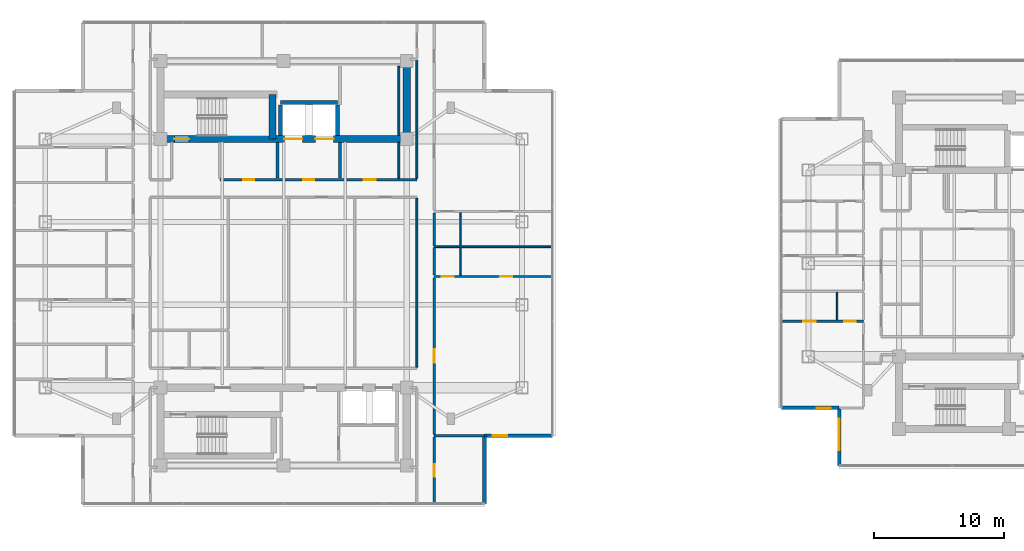
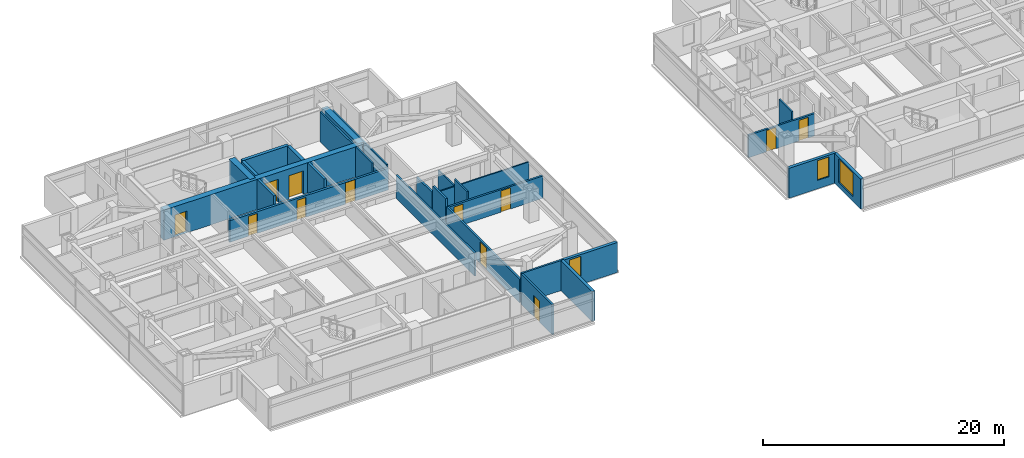
# One storey, part 14 of 24: 28 walls, 12 doors, 3 windows, 15 openings.
"""IFC4 building model written with IfcOpenShell, lengths in metres."""

import ifcopenshell
import ifcopenshell.guid

model = None  # the IFC model being written
_history = None  # IfcOwnerHistory: only IFC2X3 demands one
_inside = {}  # id of a spatial element -> (the spatial element, [elements in it])
_under = {}  # id of a project, library or spatial element -> (it, [spatial elements below it])
_declared = {}  # id of a project -> (the project, [libraries it declares])
_typed = {}  # id of a type object -> (the type object, [elements of that type])
_made_of = {}  # id of a material, layer set ... -> (it, [elements and type objects made of it])


def new_model(schema):
    """Start an empty IFC model of exactly this schema.

    Asked for "IFC4X3", IfcOpenShell would pick the latest addendum, in which some entities
    have other attributes; the version numbers below select the first issue.
    IFC2X3 requires an IfcOwnerHistory on every rooted entity: one is made here for all.
    """
    global model, _history
    if schema == "IFC4X3":
        model = ifcopenshell.file(schema_version=(4, 3, 0, 0))
    else:
        model = ifcopenshell.file(schema=schema)
    _inside.clear()
    _under.clear()
    _declared.clear()
    _typed.clear()
    _made_of.clear()
    _history = None
    if model.schema == "IFC2X3":
        org = make("IfcOrganization", Name="unknown")
        user = make(
            "IfcPersonAndOrganization",
            ThePerson=make("IfcPerson", FamilyName="unknown"),
            TheOrganization=org,
        )
        app = make(
            "IfcApplication",
            ApplicationDeveloper=org,
            Version="unknown",
            ApplicationFullName="unknown",
            ApplicationIdentifier="unknown",
        )
        _history = make(
            "IfcOwnerHistory",
            OwningUser=user,
            OwningApplication=app,
            ChangeAction="ADDED",
            CreationDate=0,
        )
    return model


def make(cls, **values):
    """One entity of the class cls with the attributes given. An attribute that is None is left unset."""
    return model.create_entity(
        cls, **{name: value for name, value in values.items() if value is not None}
    )


def rooted(cls, **values):
    """An entity with a GlobalId (a new one), such as an element, a storey or a relation."""
    return make(cls, GlobalId=ifcopenshell.guid.new(), OwnerHistory=_history, **values)


def si_unit(unit_type, name, prefix=None):
    """IfcSIUnit, for example si_unit("LENGTHUNIT", "METRE", prefix="MILLI")."""
    return make("IfcSIUnit", UnitType=unit_type, Prefix=prefix, Name=name)


def assignment(units):
    """IfcUnitAssignment: the units of a project."""
    return None if units is None else make("IfcUnitAssignment", Units=units)


def point(xyz):
    """IfcCartesianPoint."""
    return None if xyz is None else make("IfcCartesianPoint", Coordinates=xyz)


def direction(xyz):
    """IfcDirection."""
    return None if xyz is None else make("IfcDirection", DirectionRatios=xyz)


def frame(location, z_axis=None, x_axis=None):
    """IfcAxis2Placement3D, a coordinate frame: its origin and axes. An axis left out is left unset."""
    return make(
        "IfcAxis2Placement3D",
        Location=point(location),
        Axis=direction(z_axis),
        RefDirection=direction(x_axis),
    )


def frame_2d(location, x_axis=None):
    """IfcAxis2Placement2D, a coordinate frame in the plane: its origin and x axis."""
    return make(
        "IfcAxis2Placement2D", Location=point(location), RefDirection=direction(x_axis)
    )


def origin():
    """The frame at (0, 0, 0) with its axes left unset."""
    return frame((0.0, 0.0, 0.0))


def place(relative_to, where):
    """IfcLocalPlacement: puts the frame where relative to a parent placement (None: the world)."""
    return make(
        "IfcLocalPlacement", PlacementRelTo=relative_to, RelativePlacement=where
    )


def context(
    kind, dimensions, precision=None, world=None, true_north=None, identifier=None
):
    """IfcGeometricRepresentationContext, for example the 3D "Model" context."""
    return make(
        "IfcGeometricRepresentationContext",
        ContextIdentifier=identifier,
        ContextType=kind,
        CoordinateSpaceDimension=dimensions,
        Precision=precision,
        WorldCoordinateSystem=world,
        TrueNorth=true_north,
    )


def subcontext(parent, identifier, kind, view, scale=None):
    """IfcGeometricRepresentationSubContext, for example "Body" below "Model"."""
    return make(
        "IfcGeometricRepresentationSubContext",
        ContextIdentifier=identifier,
        ContextType=kind,
        ParentContext=parent,
        TargetScale=scale,
        TargetView=view,
    )


def project(units=None, contexts=None):
    """IfcProject with its units and contexts."""
    return rooted(
        "IfcProject",
        Name="project",
        RepresentationContexts=contexts,
        UnitsInContext=assignment(units),
    )


def spatial(cls, under=None, at=None, **own):
    """A site, building, storey or space (cls), placed at a placement, below another one or the project."""
    s = rooted(cls, ObjectPlacement=at, **own)
    if under is not None:
        _under.setdefault(under.id(), (under, []))[1].append(s)
    return s


def profile(cls, at=None, kind="AREA", **sizes):
    """A parametric profile (cls). Its sizes go by their IFC names, for example OverallWidth=200.0."""
    return make(cls, ProfileType=kind, Position=at, **sizes)


def rectangle(**sizes):
    """IfcRectangleProfileDef."""
    return profile("IfcRectangleProfileDef", **sizes)


def extrude(swept, where, along, depth):
    """IfcExtrudedAreaSolid: the profile swept, set in the frame where, extruded along a direction by depth."""
    return make(
        "IfcExtrudedAreaSolid",
        SweptArea=swept,
        Position=where,
        ExtrudedDirection=direction(along),
        Depth=depth,
    )


def shape(context_of_items, identifier, shape_type, items):
    """IfcShapeRepresentation: the items that make up one representation, for example the "Body"."""
    return make(
        "IfcShapeRepresentation",
        ContextOfItems=context_of_items,
        RepresentationIdentifier=identifier,
        RepresentationType=shape_type,
        Items=items,
    )


def material(Name=None, Category=None):
    """IfcMaterial."""
    return make("IfcMaterial", Name=Name, Category=Category)


def layer(
    of_material, thickness, ventilated=None, Name=None, Category=None, Priority=None
):
    """IfcMaterialLayer: one layer of a wall or slab, of a material (None: an air gap)."""
    return make(
        "IfcMaterialLayer",
        Material=of_material,
        LayerThickness=thickness,
        IsVentilated=ventilated,
        Name=Name,
        Category=Category,
        Priority=Priority,
    )


def layer_set(layers, Name=None):
    """IfcMaterialLayerSet."""
    return make("IfcMaterialLayerSet", MaterialLayers=layers, LayerSetName=Name)


def made_of(thing, what):
    """Note that an element or type object is made of a material, layer set ...; save() writes the relation."""
    if what is not None:
        _made_of.setdefault(what.id(), (what, []))[1].append(thing)
    return thing


def type_object(cls, material=None, **own):
    """A type object (cls), such as IfcWallType, which elements share."""
    return made_of(rooted(cls, **own), material)


def element(
    cls,
    number,
    at=None,
    inside=None,
    cuts=None,
    type_object=None,
    material=None,
    context=None,
    identifier="Body",
    shape_type=None,
    held_by="IfcProductDefinitionShape",
    body=None,
    shapes=None,
    **own,
):
    """One element of the class cls, such as IfcWall. Its Tag is "e" and its number.

    at: its placement. inside: the storey or other place that contains it. cuts: it is an
    opening in that element (IfcRelVoidsElement). A single representation is given by context,
    identifier, shape_type and body (its items); several are given by shapes. held_by: the class
    of the entity that holds the representations. save() writes the other relations.
    """
    e = rooted(cls, Tag="e%d" % number, ObjectPlacement=at, **own)
    if body is not None:
        shapes = [shape(context, identifier, shape_type, body)]
    if shapes is not None:
        e.Representation = make(held_by, Representations=shapes)
    if inside is not None:
        _inside.setdefault(inside.id(), (inside, []))[1].append(e)
    if cuts is not None:
        rooted(
            "IfcRelVoidsElement", RelatingBuildingElement=cuts, RelatedOpeningElement=e
        )
    if type_object is not None:
        _typed.setdefault(type_object.id(), (type_object, []))[1].append(e)
    return made_of(e, material)


def fill(opening, filler):
    """IfcRelFillsElement: the door or window that sits in an opening."""
    return rooted(
        "IfcRelFillsElement",
        RelatingOpeningElement=opening,
        RelatedBuildingElement=filler,
    )


def aggregate(whole, parts):
    """IfcRelAggregates: a whole, such as a stair, and the parts it consists of."""
    return rooted("IfcRelAggregates", RelatingObject=whole, RelatedObjects=parts)


def save(model, path):
    """Write the relations noted so far, then the file.

    IfcRelAggregates (storeys below a building ...), IfcRelContainedInSpatialStructure (elements
    in a storey), IfcRelDefinesByType, IfcRelAssociatesMaterial and IfcRelDeclares: one each for
    every whole, place, type object, material and project.
    """
    for whole, parts in _under.values():
        aggregate(whole, parts)
    for where, things in _inside.values():
        rooted(
            "IfcRelContainedInSpatialStructure",
            RelatedElements=things,
            RelatingStructure=where,
        )
    for kind, things in _typed.values():
        rooted("IfcRelDefinesByType", RelatedObjects=things, RelatingType=kind)
    for what, things in _made_of.values():
        rooted("IfcRelAssociatesMaterial", RelatedObjects=things, RelatingMaterial=what)
    for by, libraries in _declared.values():
        rooted("IfcRelDeclares", RelatingContext=by, RelatedDefinitions=libraries)
    model.write(path)


model = new_model("IFC4")

# Units and contexts
model_context = context("Model", 3, precision=1e-05, world=origin(), true_north=direction((0.0, 1.0)))
body_context = subcontext(model_context, "Body", "Model", "MODEL_VIEW")
ifc_project = project(units=[si_unit("LENGTHUNIT", "METRE"), si_unit("AREAUNIT", "SQUARE_METRE"), si_unit("VOLUMEUNIT", "CUBIC_METRE"), si_unit("PLANEANGLEUNIT", "RADIAN"), si_unit("MASSUNIT", "GRAM", prefix="KILO")], contexts=[model_context])

# Site, building, storey
site_placement = place(None, origin())
site = spatial("IfcSite", under=ifc_project, at=site_placement, CompositionType="ELEMENT")
building_placement = place(site_placement, origin())
building = spatial("IfcBuilding", under=site, at=building_placement, Name="Mirazonda Arch Towers", CompositionType="ELEMENT")
storey_placement = place(building_placement, frame((0.0, 0.0, 167.39990234375)))
storey = spatial("IfcBuildingStorey", under=building, at=storey_placement, Name="L47", CompositionType="ELEMENT", Elevation=167.39990234375)

# Wall
ifc_material_1 = material(Name="Concrete C50/60", Category="concrete")
ifc_layer_1 = layer(ifc_material_1, 0.550048828125, Name="WALL-CORE-550")
ifc_layer_set_1 = layer_set([ifc_layer_1], Name="Concrete C50/60")
wall_type_1 = type_object("IfcWallType", Name="WALL-CORE-550", PredefinedType="SHEAR", material=ifc_layer_set_1)
wall_1_placement = place(storey_placement, frame((30.0, 37.60009765625, 0.0), z_axis=(0.0, 0.0, 1.0), x_axis=(0.0, 1.0, 0.0)))
element("IfcWall", 1, at=wall_1_placement, inside=storey, type_object=wall_type_1, Name="L47 T1N-E Core Shear Wall", PredefinedType="SHEAR", context=body_context, shape_type="SweptSolid", body=[
    extrude(rectangle(XDim=6.0, YDim=0.550048828125, at=frame_2d((3.0, 0.0))), origin(), (0.0, 0.0, 1.0), 3.050048828125),
])

# Wall, openings, doors
wall_2_placement = place(storey_placement, frame((11.0, 37.60009765625, 0.0), z_axis=(0.0, 0.0, 1.0), x_axis=(1.0, 0.0, 0.0)))
wall_2 = element("IfcWall", 2, at=wall_2_placement, inside=storey, type_object=wall_type_1, Name="L47 T1N-S Core Shear Wall", PredefinedType="SHEAR", context=body_context, shape_type="SweptSolid", body=[
    extrude(rectangle(XDim=19.0, YDim=0.550048828125, at=frame_2d((9.5, 0.0))), origin(), (0.0, 0.0, 1.0), 3.050048828125),
])
opening_1_placement = place(wall_2_placement, frame((1.06005859375, 0.0, 0.0)))
opening_1 = element("IfcOpeningElement", 3, at=opening_1_placement, cuts=wall_2, Name="Opening DR-135", PredefinedType="OPENING", context=body_context, shape_type="SweptSolid", body=[
    extrude(rectangle(XDim=1.14990234375, YDim=2.199951171875, at=frame_2d((0.574951171875, 1.10009765625))), frame((0.0, 0.284912109375, 0.0), z_axis=(0.0, -1.0, 0.0), x_axis=(1.0, 0.0, 0.0)), (0.0, 0.0, 1.0), 0.570068359375),
])
opening_2_placement = place(wall_2_placement, frame((9.550048828125, 0.0, 0.0)))
opening_2 = element("IfcOpeningElement", 4, at=opening_2_placement, cuts=wall_2, Name="Opening LD-112", PredefinedType="OPENING", context=body_context, shape_type="SweptSolid", body=[
    extrude(rectangle(XDim=1.39990234375, YDim=2.35009765625, at=frame_2d((0.699951171875, 1.175048828125))), frame((0.0, 0.284912109375, 0.0), z_axis=(0.0, -1.0, 0.0), x_axis=(1.0, 0.0, 0.0)), (0.0, 0.0, 1.0), 0.570068359375),
])
opening_3_placement = place(wall_2_placement, frame((11.949951171875, 0.0, 0.0)))
opening_3 = element("IfcOpeningElement", 5, at=opening_3_placement, cuts=wall_2, Name="Opening LD-112", PredefinedType="OPENING", context=body_context, shape_type="SweptSolid", body=[
    extrude(rectangle(XDim=1.39990234375, YDim=2.35009765625, at=frame_2d((0.699951171875, 1.175048828125))), frame((0.0, 0.284912109375, 0.0), z_axis=(0.0, -1.0, 0.0), x_axis=(1.0, 0.0, 0.0)), (0.0, 0.0, 1.0), 0.570068359375),
])
ifc_material_2 = material(Name="Architectural Brushed Steel S355", Category="steel")
door_type_1 = type_object("IfcDoorType", Name="DOOR-LIFT-FFL-1400", OperationType="NOTDEFINED", PredefinedType="DOOR", material=ifc_material_2)
door_1_placement = place(opening_2_placement, origin())
door_1 = element("IfcDoor", 6, at=door_1_placement, inside=storey, type_object=door_type_1, Name="L47 Lift Landing Sliding Door FFL-T1", OperationType="DOUBLE_DOOR_SLIDING", OverallHeight=2.35009765625, OverallWidth=1.39990234375, PredefinedType="DOOR", context=body_context, shape_type="SweptSolid", body=[
    extrude(rectangle(XDim=1.39990234375, YDim=2.35009765625, at=frame_2d((0.699951171875, 1.175048828125))), frame((0.0, 0.02490234375, 0.0), z_axis=(0.0, -1.0, 0.0), x_axis=(1.0, 0.0, 0.0)), (0.0, 0.0, 1.0), 0.050048828125),
])
fill(opening_2, door_1)
door_2_placement = place(opening_3_placement, origin())
door_2 = element("IfcDoor", 7, at=door_2_placement, inside=storey, type_object=door_type_1, Name="L47 Lift Landing Sliding Door SVL-T1", OperationType="DOUBLE_DOOR_SLIDING", OverallHeight=2.35009765625, OverallWidth=1.39990234375, PredefinedType="DOOR", context=body_context, shape_type="SweptSolid", body=[
    extrude(rectangle(XDim=1.39990234375, YDim=2.35009765625, at=frame_2d((0.699951171875, 1.175048828125))), frame((0.0, 0.02490234375, 0.0), z_axis=(0.0, -1.0, 0.0), x_axis=(1.0, 0.0, 0.0)), (0.0, 0.0, 1.0), 0.050048828125),
])
fill(opening_3, door_2)
door_type_2 = type_object("IfcDoorType", Name="DOOR-STAIR-FD90-1150", OperationType="NOTDEFINED", PredefinedType="DOOR", material=ifc_material_2)
door_3_placement = place(opening_1_placement, origin())
door_3 = element("IfcDoor", 8, at=door_3_placement, inside=storey, type_object=door_type_2, Name="L47 Protected Exit Stair North Door", OperationType="SINGLE_SWING_LEFT", OverallHeight=2.199951171875, OverallWidth=1.14990234375, PredefinedType="DOOR", context=body_context, shape_type="SweptSolid", body=[
    extrude(rectangle(XDim=1.14990234375, YDim=2.199951171875, at=frame_2d((0.574951171875, 1.10009765625))), frame((0.0, 0.02490234375, 0.0), z_axis=(0.0, -1.0, 0.0), x_axis=(1.0, 0.0, 0.0)), (0.0, 0.0, 1.0), 0.050048828125),
])
fill(opening_1, door_3)

# Wall
wall_3_placement = place(storey_placement, frame((19.64990234375, 37.60009765625, 0.0), z_axis=(0.0, 0.0, 1.0), x_axis=(0.0, 1.0, 0.0)))
element("IfcWall", 9, at=wall_3_placement, inside=storey, type_object=wall_type_1, Name="L47 T1N-STE Core Shear Wall", PredefinedType="SHEAR", context=body_context, shape_type="SweptSolid", body=[
    extrude(rectangle(XDim=3.44287109375, YDim=0.550048828125, at=frame_2d((1.721435546875, 0.0))), origin(), (0.0, 0.0, 1.0), 3.050048828125),
])

# Wall, opening, window
ifc_material_3 = material(Name="Precast Concrete C40/50", Category="concrete")
ifc_layer_2 = layer(ifc_material_3, 0.280029296875, Name="WALL-EXT-WALL-280")
ifc_layer_set_2 = layer_set([ifc_layer_2], Name="Precast Concrete C40/50")
wall_type_2 = type_object("IfcWallType", Name="WALL-EXT-WALL-280", PredefinedType="SOLIDWALL", material=ifc_layer_set_2)
wall_4_placement = place(storey_placement, frame((36.0048828125, 14.68310546875, 0.0), z_axis=(0.0, 0.0, 1.0), x_axis=(1.0, 0.0, 0.0)))
wall_4 = element("IfcWall", 10, at=wall_4_placement, inside=storey, type_object=wall_type_2, Name="L47 T1 Corner Notch Return Wall WL-L47-T1-CSE1", PredefinedType="SOLIDWALL", context=body_context, shape_type="SweptSolid", body=[
    extrude(rectangle(XDim=5.2451171875, YDim=0.280029296875, at=frame_2d((2.62255859375, 0.0))), origin(), (0.0, 0.0, 1.0), 3.030029296875),
])
opening_4_placement = place(wall_4_placement, frame((0.64990234375, 0.0, 0.85009765625)))
opening_4 = element("IfcOpeningElement", 11, at=opening_4_placement, cuts=wall_4, Name="Opening WN-108", PredefinedType="OPENING", context=body_context, shape_type="SweptSolid", body=[
    extrude(rectangle(XDim=1.10009765625, YDim=2.0, at=frame_2d((0.550048828125, 1.0))), frame((0.0, 0.14990234375, 0.0), z_axis=(0.0, -1.0, 0.0), x_axis=(1.0, 0.0, 0.0)), (0.0, 0.0, 1.0), 0.300048828125),
])
ifc_material_4 = material(Name="Insulated Low-E Solar Glass", Category="glass")
window_type_1 = type_object("IfcWindowType", Name="WIN-NOTCH-1100x2000", PartitioningType="SINGLE_PANEL", PredefinedType="WINDOW", material=ifc_material_4)
window_1_placement = place(opening_4_placement, origin())
window_1 = element("IfcWindow", 12, at=window_1_placement, inside=storey, type_object=window_type_1, Name="L47 Punched Facade Window WN-L47-T1-CSE1", OverallHeight=2.0, OverallWidth=1.10009765625, PartitioningType="SINGLE_PANEL", PredefinedType="WINDOW", context=body_context, shape_type="SweptSolid", body=[
    extrude(rectangle(XDim=1.10009765625, YDim=2.0, at=frame_2d((0.550048828125, 1.0))), frame((0.0, 0.030029296875, 0.0), z_axis=(0.0, -1.0, 0.0), x_axis=(1.0, 0.0, 0.0)), (0.0, 0.0, 1.0), 0.06005859375),
])
fill(opening_4, window_1)

# Wall
wall_5_placement = place(storey_placement, frame((36.0048828125, 9.43798828125, 0.0), z_axis=(0.0, 0.0, 1.0), x_axis=(0.0, 1.0, 0.0)))
element("IfcWall", 13, at=wall_5_placement, inside=storey, type_object=wall_type_2, Name="L47 T1 Corner Notch Return Wall WL-L47-T1-CSE2", PredefinedType="SOLIDWALL", context=body_context, shape_type="SweptSolid", body=[
    extrude(rectangle(XDim=5.2451171875, YDim=0.280029296875, at=frame_2d((2.62255859375, 0.0))), origin(), (0.0, 0.0, 1.0), 3.030029296875),
])

# Wall, opening, window
wall_6_placement = place(storey_placement, frame((63.380615234375, 16.840576171875, 0.0), z_axis=(0.0, 0.0, 1.0), x_axis=(0.0, -1.0, 0.0)))
wall_6 = element("IfcWall", 14, at=wall_6_placement, inside=storey, type_object=wall_type_2, Name="L47 T2 Notched SW Corner Wall WL-L47-T2-CSW", PredefinedType="SOLIDWALL", context=body_context, shape_type="SweptSolid", body=[
    extrude(rectangle(XDim=4.46533203125, YDim=0.280029296875, at=frame_2d((2.232666015625, 0.0))), origin(), (0.0, 0.0, 1.0), 3.030029296875),
])
opening_5_placement = place(wall_6_placement, frame((0.85009765625, 0.0, 0.530029296875)))
opening_5 = element("IfcOpeningElement", 15, at=opening_5_placement, cuts=wall_6, Name="Opening WN-121", PredefinedType="OPENING", context=body_context, shape_type="SweptSolid", body=[
    extrude(rectangle(XDim=2.39990234375, YDim=2.35009765625, at=frame_2d((1.199951171875, 1.175048828125))), frame((0.0, 0.14990234375, 0.0), z_axis=(0.0, -1.0, 0.0), x_axis=(1.0, 0.0, 0.0)), (0.0, 0.0, 1.0), 0.300048828125),
])
window_type_2 = type_object("IfcWindowType", Name="WIN-PENT-2400x2350", PartitioningType="SINGLE_PANEL", PredefinedType="WINDOW", material=ifc_material_4)
window_2_placement = place(opening_5_placement, origin())
window_2 = element("IfcWindow", 16, at=window_2_placement, inside=storey, type_object=window_type_2, Name="L47 Punched Facade Window WN-L47-T2-CSW", OverallHeight=2.35009765625, OverallWidth=2.39990234375, PartitioningType="SINGLE_PANEL", PredefinedType="WINDOW", context=body_context, shape_type="SweptSolid", body=[
    extrude(rectangle(XDim=2.39990234375, YDim=2.35009765625, at=frame_2d((1.199951171875, 1.175048828125))), frame((0.0, 0.030029296875, 0.0), z_axis=(0.0, -1.0, 0.0), x_axis=(1.0, 0.0, 0.0)), (0.0, 0.0, 1.0), 0.06005859375),
])
fill(opening_5, window_2)

wall_7_placement = place(storey_placement, frame((58.91552734375, 16.840576171875, 0.0), z_axis=(0.0, 0.0, 1.0), x_axis=(1.0, 0.0, 0.0)))
wall_7 = element("IfcWall", 17, at=wall_7_placement, inside=storey, type_object=wall_type_2, Name="L47 T2 Corner Notch Return Wall WL-L47-T2-CSW2", PredefinedType="SOLIDWALL", context=body_context, shape_type="SweptSolid", body=[
    extrude(rectangle(XDim=4.465087890625, YDim=0.280029296875, at=frame_2d((2.232421875, 0.0))), origin(), (0.0, 0.0, 1.0), 3.030029296875),
])
opening_6_placement = place(wall_7_placement, frame((2.715087890625, 0.0, 0.85009765625)))
opening_6 = element("IfcOpeningElement", 18, at=opening_6_placement, cuts=wall_7, Name="Opening WN-108", PredefinedType="OPENING", context=body_context, shape_type="SweptSolid", body=[
    extrude(rectangle(XDim=1.10009765625, YDim=2.0, at=frame_2d((0.550048828125, 1.0))), frame((0.0, 0.14990234375, 0.0), z_axis=(0.0, -1.0, 0.0), x_axis=(1.0, 0.0, 0.0)), (0.0, 0.0, 1.0), 0.300048828125),
])
window_3_placement = place(opening_6_placement, origin())
window_3 = element("IfcWindow", 19, at=window_3_placement, inside=storey, type_object=window_type_1, Name="L47 Punched Facade Window WN-L47-T2-CSW2", OverallHeight=2.0, OverallWidth=1.10009765625, PartitioningType="SINGLE_PANEL", PredefinedType="WINDOW", context=body_context, shape_type="SweptSolid", body=[
    extrude(rectangle(XDim=1.10009765625, YDim=2.0, at=frame_2d((0.550048828125, 1.0))), frame((0.0, 0.030029296875, 0.0), z_axis=(0.0, -1.0, 0.0), x_axis=(1.0, 0.0, 0.0)), (0.0, 0.0, 1.0), 0.06005859375),
])
fill(opening_6, window_3)

# Wall, openings, doors
ifc_material_5 = material(Name="Concrete C40/50", Category="concrete")
ifc_layer_3 = layer(ifc_material_5, 0.219970703125, Name="WALL-FFL-220")
ifc_layer_set_3 = layer_set([ifc_layer_3], Name="Concrete C40/50")
wall_type_3 = type_object("IfcWallType", Name="WALL-FFL-220", PredefinedType="SOLIDWALL", material=ifc_layer_set_3)
wall_8_placement = place(storey_placement, frame((15.590087890625, 34.449951171875, 0.0), z_axis=(0.0, 0.0, 1.0), x_axis=(1.0, 0.0, 0.0)))
wall_8 = element("IfcWall", 20, at=wall_8_placement, inside=storey, type_object=wall_type_3, Name="L47 Interior Partition 048", PredefinedType="SOLIDWALL", context=body_context, shape_type="SweptSolid", body=[
    extrude(rectangle(XDim=15.18994140625, YDim=0.219970703125, at=frame_2d((7.594970703125, 0.0))), origin(), (0.0, 0.0, 1.0), 2.18603515625),
])
opening_7_placement = place(wall_8_placement, frame((6.43505859375, 0.0, 0.0)))
opening_7 = element("IfcOpeningElement", 21, at=opening_7_placement, cuts=wall_8, Name="Opening DR-128", PredefinedType="OPENING", context=body_context, shape_type="SweptSolid", body=[
    extrude(rectangle(XDim=0.85009765625, YDim=2.010009765625, at=frame_2d((0.425048828125, 1.0048828125))), frame((0.0, 0.119873046875, 0.0), z_axis=(0.0, -1.0, 0.0), x_axis=(1.0, 0.0, 0.0)), (0.0, 0.0, 1.0), 0.239990234375),
])
opening_8_placement = place(wall_8_placement, frame((11.0849609375, 0.0, 0.0)))
opening_8 = element("IfcOpeningElement", 22, at=opening_8_placement, cuts=wall_8, Name="Opening DR-104", PredefinedType="OPENING", context=body_context, shape_type="SweptSolid", body=[
    extrude(rectangle(XDim=0.949951171875, YDim=2.14990234375, at=frame_2d((0.47509765625, 1.074951171875))), frame((0.0, 0.119873046875, 0.0), z_axis=(0.0, -1.0, 0.0), x_axis=(1.0, 0.0, 0.0)), (0.0, 0.0, 1.0), 0.239990234375),
])
opening_9_placement = place(wall_8_placement, frame((1.77490234375, 0.0, 0.0)))
opening_9 = element("IfcOpeningElement", 23, at=opening_9_placement, cuts=wall_8, Name="Opening DR-128", PredefinedType="OPENING", context=body_context, shape_type="SweptSolid", body=[
    extrude(rectangle(XDim=0.85009765625, YDim=2.010009765625, at=frame_2d((0.425048828125, 1.0048828125))), frame((0.0, 0.119873046875, 0.0), z_axis=(0.0, -1.0, 0.0), x_axis=(1.0, 0.0, 0.0)), (0.0, 0.0, 1.0), 0.239990234375),
])
door_type_3 = type_object("IfcDoorType", Name="DOOR-RISER-FD60-850", OperationType="NOTDEFINED", PredefinedType="DOOR", material=ifc_material_2)
door_4_placement = place(opening_7_placement, origin())
door_4 = element("IfcDoor", 24, at=door_4_placement, inside=storey, type_object=door_type_3, Name="L47 Firefighting Lift Lobby Door", OperationType="SINGLE_SWING_RIGHT", OverallHeight=2.010009765625, OverallWidth=0.85009765625, PredefinedType="DOOR", context=body_context, shape_type="SweptSolid", body=[
    extrude(rectangle(XDim=0.85009765625, YDim=2.010009765625, at=frame_2d((0.425048828125, 1.0048828125))), frame((0.0, 0.02490234375, 0.0), z_axis=(0.0, -1.0, 0.0), x_axis=(1.0, 0.0, 0.0)), (0.0, 0.0, 1.0), 0.050048828125),
])
fill(opening_7, door_4)
door_5_placement = place(opening_9_placement, origin())
door_5 = element("IfcDoor", 25, at=door_5_placement, inside=storey, type_object=door_type_3, Name="L47 Housekeeping Linen Room Door", OperationType="SINGLE_SWING_RIGHT", OverallHeight=2.010009765625, OverallWidth=0.85009765625, PredefinedType="DOOR", context=body_context, shape_type="SweptSolid", body=[
    extrude(rectangle(XDim=0.85009765625, YDim=2.010009765625, at=frame_2d((0.425048828125, 1.0048828125))), frame((0.0, 0.02490234375, 0.0), z_axis=(0.0, -1.0, 0.0), x_axis=(1.0, 0.0, 0.0)), (0.0, 0.0, 1.0), 0.050048828125),
])
fill(opening_9, door_5)
door_type_4 = type_object("IfcDoorType", Name="DOOR-ROOM-950", OperationType="NOTDEFINED", PredefinedType="DOOR", material=ifc_material_2)
door_6_placement = place(opening_8_placement, origin())
door_6 = element("IfcDoor", 26, at=door_6_placement, inside=storey, type_object=door_type_4, Name="L47 Residents Private Art Gallery Door", OperationType="SINGLE_SWING_LEFT", OverallHeight=2.14990234375, OverallWidth=0.949951171875, PredefinedType="DOOR", context=body_context, shape_type="SweptSolid", body=[
    extrude(rectangle(XDim=0.949951171875, YDim=2.14990234375, at=frame_2d((0.47509765625, 1.074951171875))), frame((0.0, 0.02490234375, 0.0), z_axis=(0.0, -1.0, 0.0), x_axis=(1.0, 0.0, 0.0)), (0.0, 0.0, 1.0), 0.050048828125),
])
fill(opening_8, door_6)

# Walls
for number, where, z_axis, x_axis, name in (
    (27, (20.02490234375, 34.570068359375, 0.0), (0.0, 0.0, 1.0), (0.0, 1.0, 0.0), "L47 Interior Partition 088"),
    (28, (24.85009765625, 34.570068359375, 0.0), (0.0, 0.0, 1.0), (0.0, 1.0, 0.0), "L47 Interior Partition 096"),
):
    element("IfcWall", number, at=place(storey_placement, frame(where, z_axis=z_axis, x_axis=x_axis)), inside=storey, type_object=wall_type_3, Name=name, PredefinedType="SOLIDWALL", context=body_context, shape_type="SweptSolid", body=[
        extrude(rectangle(XDim=2.760009765625, YDim=0.219970703125, at=frame_2d((1.3798828125, 0.0))), origin(), (0.0, 0.0, 1.0), 3.050048828125),
    ])
ifc_material_6 = material(Name="Fire-Rated Gypsum Stud Partition")
ifc_layer_4 = layer(ifc_material_6, 0.14990234375, Name="WALL-PART-CORR-150")
ifc_layer_set_4 = layer_set([ifc_layer_4], Name="Fire-Rated Gypsum Stud Partition")
wall_type_4 = type_object("IfcWallType", Name="WALL-PART-CORR-150", PredefinedType="PARTITIONING", material=ifc_layer_set_4)
wall_9_placement = place(storey_placement, frame((29.39990234375, 34.570068359375, 0.0), z_axis=(0.0, 0.0, 1.0), x_axis=(0.0, 1.0, 0.0)))
element("IfcWall", 29, at=wall_9_placement, inside=storey, type_object=wall_type_4, Name="L47 Interior Partition 101", PredefinedType="PARTITIONING", context=body_context, shape_type="SweptSolid", body=[
    extrude(rectangle(XDim=2.760009765625, YDim=0.14990234375, at=frame_2d((1.3798828125, 0.0))), origin(), (0.0, 0.0, 1.0), 3.050048828125),
])
wall_10_placement = place(storey_placement, frame((29.39990234375, 37.8701171875, 0.0), z_axis=(0.0, 0.0, 1.0), x_axis=(0.0, 1.0, 0.0)))
element("IfcWall", 30, at=wall_10_placement, inside=storey, type_object=wall_type_4, Name="L47 Interior Partition 102", PredefinedType="PARTITIONING", context=body_context, shape_type="SweptSolid", body=[
    extrude(rectangle(XDim=5.329833984375, YDim=0.14990234375, at=frame_2d((2.6650390625, 0.0))), origin(), (0.0, 0.0, 1.0), 3.050048828125),
])
wall_11_placement = place(storey_placement, frame((30.780029296875, 19.985107421875, 0.0), z_axis=(0.0, 0.0, 1.0), x_axis=(0.0, 1.0, 0.0)))
element("IfcWall", 31, at=wall_11_placement, inside=storey, type_object=wall_type_4, Name="L47 Interior Partition 105", PredefinedType="PARTITIONING", context=body_context, shape_type="SweptSolid", body=[
    extrude(rectangle(XDim=13.02978515625, YDim=0.14990234375, at=frame_2d((6.514892578125, 0.0))), origin(), (0.0, 0.0, 1.0), 2.34619140625),
])
wall_12_placement = place(storey_placement, frame((30.780029296875, 34.570068359375, 0.0), z_axis=(0.0, 0.0, 1.0), x_axis=(0.0, 1.0, 0.0)))
element("IfcWall", 32, at=wall_12_placement, inside=storey, type_object=wall_type_4, Name="L47 Interior Partition 106", PredefinedType="PARTITIONING", context=body_context, shape_type="SweptSolid", body=[
    extrude(rectangle(XDim=9.094970703125, YDim=0.14990234375, at=frame_2d((4.54736328125, 0.0))), origin(), (0.0, 0.0, 1.0), 2.442138671875),
])
ifc_material_7 = material(Name="Fire-Rated Gypsum Twin-Stud Assembly")
ifc_layer_5 = layer(ifc_material_7, 0.179931640625, Name="WALL-PART-DEMISE-180")
ifc_layer_set_5 = layer_set([ifc_layer_5], Name="Fire-Rated Gypsum Twin-Stud Assembly")
wall_type_5 = type_object("IfcWallType", Name="WALL-PART-DEMISE-180", PredefinedType="PARTITIONING", material=ifc_layer_set_5)
wall_13_placement = place(storey_placement, frame((32.1201171875, 14.68310546875, 0.0), z_axis=(0.0, 0.0, 1.0), x_axis=(1.0, 0.0, 0.0)))
element("IfcWall", 33, at=wall_13_placement, inside=storey, type_object=wall_type_5, Name="L47 Interior Partition 005", PredefinedType="PARTITIONING", context=body_context, shape_type="SweptSolid", body=[
    extrude(rectangle(XDim=3.864990234375, YDim=0.179931640625, at=frame_2d((1.9326171875, 0.0))), origin(), (0.0, 0.0, 1.0), 3.050048828125),
])

# Wall, openings, doors
wall_14_placement = place(storey_placement, frame((58.916015625, 23.533935546875, 0.0), z_axis=(0.0, 0.0, 1.0), x_axis=(1.0, 0.0, 0.0)))
wall_14 = element("IfcWall", 34, at=wall_14_placement, inside=storey, type_object=wall_type_5, Name="L47 Interior Partition 024", PredefinedType="PARTITIONING", context=body_context, shape_type="SweptSolid", body=[
    extrude(rectangle(XDim=6.333984375, YDim=0.179931640625, at=frame_2d((3.1669921875, 0.0))), origin(), (0.0, 0.0, 1.0), 2.26904296875),
])
opening_10_placement = place(wall_14_placement, frame((1.698486328125, 0.0, 0.0)))
opening_10 = element("IfcOpeningElement", 35, at=opening_10_placement, cuts=wall_14, Name="Opening DR-104", PredefinedType="OPENING", context=body_context, shape_type="SweptSolid", body=[
    extrude(rectangle(XDim=0.949951171875, YDim=2.14990234375, at=frame_2d((0.47509765625, 1.074951171875))), frame((0.0, 0.099853515625, 0.0), z_axis=(0.0, -1.0, 0.0), x_axis=(1.0, 0.0, 0.0)), (0.0, 0.0, 1.0), 0.199951171875),
])
opening_11_placement = place(wall_14_placement, frame((4.8505859375, 0.0, 0.0)))
opening_11 = element("IfcOpeningElement", 36, at=opening_11_placement, cuts=wall_14, Name="Opening DR-120", PredefinedType="OPENING", context=body_context, shape_type="SweptSolid", body=[
    extrude(rectangle(XDim=0.89990234375, YDim=2.10009765625, at=frame_2d((0.449951171875, 1.050048828125))), frame((0.0, 0.099853515625, 0.0), z_axis=(0.0, -1.0, 0.0), x_axis=(1.0, 0.0, 0.0)), (0.0, 0.0, 1.0), 0.199951171875),
])
door_7_placement = place(opening_10_placement, origin())
door_7 = element("IfcDoor", 37, at=door_7_placement, inside=storey, type_object=door_type_4, Name="L47 Studio 1 Galley Kitchen Door", OperationType="SINGLE_SWING_LEFT", OverallHeight=2.14990234375, OverallWidth=0.949951171875, PredefinedType="DOOR", context=body_context, shape_type="SweptSolid", body=[
    extrude(rectangle(XDim=0.949951171875, YDim=2.14990234375, at=frame_2d((0.47509765625, 1.074951171875))), frame((0.0, 0.02490234375, 0.0), z_axis=(0.0, -1.0, 0.0), x_axis=(1.0, 0.0, 0.0)), (0.0, 0.0, 1.0), 0.050048828125),
])
fill(opening_10, door_7)
door_type_5 = type_object("IfcDoorType", Name="DOOR-WC-900", OperationType="NOTDEFINED", PredefinedType="DOOR", material=ifc_material_2)
door_8_placement = place(opening_11_placement, origin())
door_8 = element("IfcDoor", 38, at=door_8_placement, inside=storey, type_object=door_type_5, Name="L47 Studio 1 Bathroom Door", OperationType="SINGLE_SWING_RIGHT", OverallHeight=2.10009765625, OverallWidth=0.89990234375, PredefinedType="DOOR", context=body_context, shape_type="SweptSolid", body=[
    extrude(rectangle(XDim=0.89990234375, YDim=2.10009765625, at=frame_2d((0.449951171875, 1.050048828125))), frame((0.0, 0.02490234375, 0.0), z_axis=(0.0, -1.0, 0.0), x_axis=(1.0, 0.0, 0.0)), (0.0, 0.0, 1.0), 0.050048828125),
])
fill(opening_11, door_8)

wall_15_placement = place(storey_placement, frame((32.1201171875, 26.98291015625, 0.0), z_axis=(0.0, 0.0, 1.0), x_axis=(1.0, 0.0, 0.0)))
wall_15 = element("IfcWall", 39, at=wall_15_placement, inside=storey, type_object=wall_type_5, Name="L47 Interior Partition 030", PredefinedType="PARTITIONING", context=body_context, shape_type="SweptSolid", body=[
    extrude(rectangle(XDim=9.1298828125, YDim=0.179931640625, at=frame_2d((4.56494140625, 0.0))), origin(), (0.0, 0.0, 1.0), 2.26904296875),
])
opening_12_placement = place(wall_15_placement, frame((5.090087890625, 0.0, 0.0)))
opening_12 = element("IfcOpeningElement", 40, at=opening_12_placement, cuts=wall_15, Name="Opening DR-104", PredefinedType="OPENING", context=body_context, shape_type="SweptSolid", body=[
    extrude(rectangle(XDim=0.949951171875, YDim=2.14990234375, at=frame_2d((0.47509765625, 1.074951171875))), frame((0.0, 0.099853515625, 0.0), z_axis=(0.0, -1.0, 0.0), x_axis=(1.0, 0.0, 0.0)), (0.0, 0.0, 1.0), 0.199951171875),
])
opening_13_placement = place(wall_15_placement, frame((0.590087890625, 0.0, 0.0)))
opening_13 = element("IfcOpeningElement", 41, at=opening_13_placement, cuts=wall_15, Name="Opening DR-120", PredefinedType="OPENING", context=body_context, shape_type="SweptSolid", body=[
    extrude(rectangle(XDim=0.89990234375, YDim=2.10009765625, at=frame_2d((0.449951171875, 1.050048828125))), frame((0.0, 0.099853515625, 0.0), z_axis=(0.0, -1.0, 0.0), x_axis=(1.0, 0.0, 0.0)), (0.0, 0.0, 1.0), 0.199951171875),
])
door_9_placement = place(opening_12_placement, origin())
door_9 = element("IfcDoor", 42, at=door_9_placement, inside=storey, type_object=door_type_4, Name="L47 Suite Bedroom 1 Door", OperationType="SINGLE_SWING_LEFT", OverallHeight=2.14990234375, OverallWidth=0.949951171875, PredefinedType="DOOR", context=body_context, shape_type="SweptSolid", body=[
    extrude(rectangle(XDim=0.949951171875, YDim=2.14990234375, at=frame_2d((0.47509765625, 1.074951171875))), frame((0.0, 0.02490234375, 0.0), z_axis=(0.0, -1.0, 0.0), x_axis=(1.0, 0.0, 0.0)), (0.0, 0.0, 1.0), 0.050048828125),
])
fill(opening_12, door_9)
door_10_placement = place(opening_13_placement, origin())
door_10 = element("IfcDoor", 43, at=door_10_placement, inside=storey, type_object=door_type_5, Name="L47 Suite En-Suite Bathroom 1 Door", OperationType="SINGLE_SWING_RIGHT", OverallHeight=2.10009765625, OverallWidth=0.89990234375, PredefinedType="DOOR", context=body_context, shape_type="SweptSolid", body=[
    extrude(rectangle(XDim=0.89990234375, YDim=2.10009765625, at=frame_2d((0.449951171875, 1.050048828125))), frame((0.0, 0.02490234375, 0.0), z_axis=(0.0, -1.0, 0.0), x_axis=(1.0, 0.0, 0.0)), (0.0, 0.0, 1.0), 0.050048828125),
])
fill(opening_13, door_10)

# Wall, opening, door
wall_16_placement = place(storey_placement, frame((32.1201171875, 9.43798828125, 0.0), z_axis=(0.0, 0.0, 1.0), x_axis=(0.0, 1.0, 0.0)))
wall_16 = element("IfcWall", 44, at=wall_16_placement, inside=storey, type_object=wall_type_5, Name="L47 Interior Partition 108", PredefinedType="PARTITIONING", context=body_context, shape_type="SweptSolid", body=[
    extrude(rectangle(XDim=5.14501953125, YDim=0.179931640625, at=frame_2d((2.572509765625, 0.0))), origin(), (0.0, 0.0, 1.0), 3.050048828125),
])
opening_14_placement = place(wall_16_placement, frame((2.097412109375, 0.0, 0.0)))
opening_14 = element("IfcOpeningElement", 45, at=opening_14_placement, cuts=wall_16, Name="Opening DR-104", PredefinedType="OPENING", context=body_context, shape_type="SweptSolid", body=[
    extrude(rectangle(XDim=0.949951171875, YDim=2.14990234375, at=frame_2d((0.47509765625, 1.074951171875))), frame((0.0, 0.099853515625, 0.0), z_axis=(0.0, -1.0, 0.0), x_axis=(1.0, 0.0, 0.0)), (0.0, 0.0, 1.0), 0.199951171875),
])
door_11_placement = place(opening_14_placement, origin())
door_11 = element("IfcDoor", 46, at=door_11_placement, inside=storey, type_object=door_type_4, Name="L47 South Horizon Lounge Alcove East Door", OperationType="SINGLE_SWING_LEFT", OverallHeight=2.14990234375, OverallWidth=0.949951171875, PredefinedType="DOOR", context=body_context, shape_type="SweptSolid", body=[
    extrude(rectangle(XDim=0.949951171875, YDim=2.14990234375, at=frame_2d((0.47509765625, 1.074951171875))), frame((0.0, 0.02490234375, 0.0), z_axis=(0.0, -1.0, 0.0), x_axis=(1.0, 0.0, 0.0)), (0.0, 0.0, 1.0), 0.050048828125),
])
fill(opening_14, door_11)

wall_17_placement = place(storey_placement, frame((32.1201171875, 14.782958984375, 0.0), z_axis=(0.0, 0.0, 1.0), x_axis=(0.0, 1.0, 0.0)))
wall_17 = element("IfcWall", 47, at=wall_17_placement, inside=storey, type_object=wall_type_5, Name="L47 Interior Partition 109", PredefinedType="PARTITIONING", context=body_context, shape_type="SweptSolid", body=[
    extrude(rectangle(XDim=12.10009765625, YDim=0.179931640625, at=frame_2d((6.050048828125, 0.0))), origin(), (0.0, 0.0, 1.0), 2.34619140625),
])
opening_15_placement = place(wall_17_placement, frame((5.52490234375, 0.0, 0.0)))
opening_15 = element("IfcOpeningElement", 48, at=opening_15_placement, cuts=wall_17, Name="Opening DR-121", PredefinedType="OPENING", context=body_context, shape_type="SweptSolid", body=[
    extrude(rectangle(XDim=1.050048828125, YDim=2.199951171875, at=frame_2d((0.52490234375, 1.10009765625))), frame((0.0, 0.099853515625, 0.0), z_axis=(0.0, -1.0, 0.0), x_axis=(1.0, 0.0, 0.0)), (0.0, 0.0, 1.0), 0.199951171875),
])
door_type_6 = type_object("IfcDoorType", Name="DOOR-SUITE-FD60-1050", OperationType="NOTDEFINED", PredefinedType="DOOR", material=ifc_material_2)
door_12_placement = place(opening_15_placement, origin())
door_12 = element("IfcDoor", 49, at=door_12_placement, inside=storey, type_object=door_type_6, Name="L47 Presidential Hotel Suite 1 Door", OperationType="SINGLE_SWING_RIGHT", OverallHeight=2.199951171875, OverallWidth=1.050048828125, PredefinedType="DOOR", context=body_context, shape_type="SweptSolid", body=[
    extrude(rectangle(XDim=1.050048828125, YDim=2.199951171875, at=frame_2d((0.52490234375, 1.10009765625))), frame((0.0, 0.02490234375, 0.0), z_axis=(0.0, -1.0, 0.0), x_axis=(1.0, 0.0, 0.0)), (0.0, 0.0, 1.0), 0.050048828125),
])
fill(opening_15, door_12)

# Walls
wall_18_placement = place(storey_placement, frame((32.1201171875, 27.0830078125, 0.0), z_axis=(0.0, 0.0, 1.0), x_axis=(0.0, 1.0, 0.0)))
element("IfcWall", 50, at=wall_18_placement, inside=storey, type_object=wall_type_5, Name="L47 Interior Partition 110", PredefinedType="PARTITIONING", context=body_context, shape_type="SweptSolid", body=[
    extrude(rectangle(XDim=2.12744140625, YDim=0.179931640625, at=frame_2d((1.063720703125, 0.0))), origin(), (0.0, 0.0, 1.0), 3.050048828125),
])
wall_19_placement = place(storey_placement, frame((32.1201171875, 29.35546875, 0.0), z_axis=(0.0, 0.0, 1.0), x_axis=(0.0, 1.0, 0.0)))
element("IfcWall", 51, at=wall_19_placement, inside=storey, type_object=wall_type_5, Name="L47 Interior Partition 111", PredefinedType="PARTITIONING", context=body_context, shape_type="SweptSolid", body=[
    extrude(rectangle(XDim=2.547607421875, YDim=0.179931640625, at=frame_2d((1.27392578125, 0.0))), origin(), (0.0, 0.0, 1.0), 2.34619140625),
])
ifc_material_8 = material(Name="Acoustic Fire-Rated Gypsum Partition")
ifc_layer_6 = layer(ifc_material_8, 0.125, Name="WALL-PART-UNIT-125")
ifc_layer_set_6 = layer_set([ifc_layer_6], Name="Acoustic Fire-Rated Gypsum Partition")
wall_type_6 = type_object("IfcWallType", Name="WALL-PART-UNIT-125", PredefinedType="PARTITIONING", material=ifc_layer_set_6)
wall_20_placement = place(storey_placement, frame((32.1201171875, 29.282958984375, 0.0), z_axis=(0.0, 0.0, 1.0), x_axis=(1.0, 0.0, 0.0)))
element("IfcWall", 52, at=wall_20_placement, inside=storey, type_object=wall_type_6, Name="L47 Interior Partition 035", PredefinedType="PARTITIONING", context=body_context, shape_type="SweptSolid", body=[
    extrude(rectangle(XDim=9.1298828125, YDim=0.125, at=frame_2d((4.56494140625, 0.0))), origin(), (0.0, 0.0, 1.0), 2.26904296875),
])
wall_21_placement = place(storey_placement, frame((34.159912109375, 27.0830078125, 0.0), z_axis=(0.0, 0.0, 1.0), x_axis=(0.0, 1.0, 0.0)))
element("IfcWall", 53, at=wall_21_placement, inside=storey, type_object=wall_type_6, Name="L47 Interior Partition 114", PredefinedType="PARTITIONING", context=body_context, shape_type="SweptSolid", body=[
    extrude(rectangle(XDim=2.12744140625, YDim=0.125, at=frame_2d((1.063720703125, 0.0))), origin(), (0.0, 0.0, 1.0), 3.050048828125),
])
wall_22_placement = place(storey_placement, frame((34.159912109375, 29.35546875, 0.0), z_axis=(0.0, 0.0, 1.0), x_axis=(0.0, 1.0, 0.0)))
element("IfcWall", 54, at=wall_22_placement, inside=storey, type_object=wall_type_6, Name="L47 Interior Partition 115", PredefinedType="PARTITIONING", context=body_context, shape_type="SweptSolid", body=[
    extrude(rectangle(XDim=2.547607421875, YDim=0.125, at=frame_2d((1.27392578125, 0.0))), origin(), (0.0, 0.0, 1.0), 2.34619140625),
])
wall_23_placement = place(storey_placement, frame((63.222900390625, 23.634033203125, 0.0), z_axis=(0.0, 0.0, 1.0), x_axis=(0.0, 1.0, 0.0)))
element("IfcWall", 55, at=wall_23_placement, inside=storey, type_object=wall_type_6, Name="L47 Interior Partition 116", PredefinedType="PARTITIONING", context=body_context, shape_type="SweptSolid", body=[
    extrude(rectangle(XDim=2.114990234375, YDim=0.125, at=frame_2d((1.0576171875, 0.0))), origin(), (0.0, 0.0, 1.0), 3.050048828125),
])
ifc_layer_7 = layer(ifc_material_1, 0.300048828125, Name="WALL-SHAFT-300")
ifc_layer_set_7 = layer_set([ifc_layer_7], Name="Concrete C50/60")
wall_type_7 = type_object("IfcWallType", Name="WALL-SHAFT-300", PredefinedType="SOLIDWALL", material=ifc_layer_set_7)
wall_24_placement = place(storey_placement, frame((20.25, 40.39990234375, 0.0), z_axis=(0.0, 0.0, 1.0), x_axis=(1.0, 0.0, 0.0)))
element("IfcWall", 56, at=wall_24_placement, inside=storey, type_object=wall_type_7, Name="L47 Interior Partition 056", PredefinedType="SOLIDWALL", context=body_context, shape_type="SweptSolid", body=[
    extrude(rectangle(XDim=4.39990234375, YDim=0.300048828125, at=frame_2d((2.199951171875, 0.0))), origin(), (0.0, 0.0, 1.0), 3.050048828125),
])
for number, where, z_axis, x_axis, name in (
    (57, (20.25, 37.8701171875, 0.0), (0.0, 0.0, 1.0), (0.0, 1.0, 0.0), "L47 Interior Partition 091"),
    (58, (24.64990234375, 37.8701171875, 0.0), (0.0, 0.0, 1.0), (0.0, 1.0, 0.0), "L47 Interior Partition 095"),
):
    element("IfcWall", number, at=place(storey_placement, frame(where, z_axis=z_axis, x_axis=x_axis)), inside=storey, type_object=wall_type_7, Name=name, PredefinedType="SOLIDWALL", context=body_context, shape_type="SweptSolid", body=[
        extrude(rectangle(XDim=2.369873046875, YDim=0.300048828125, at=frame_2d((1.18505859375, 0.0))), origin(), (0.0, 0.0, 1.0), 3.050048828125),
    ])

save(model, "model.ifc")
